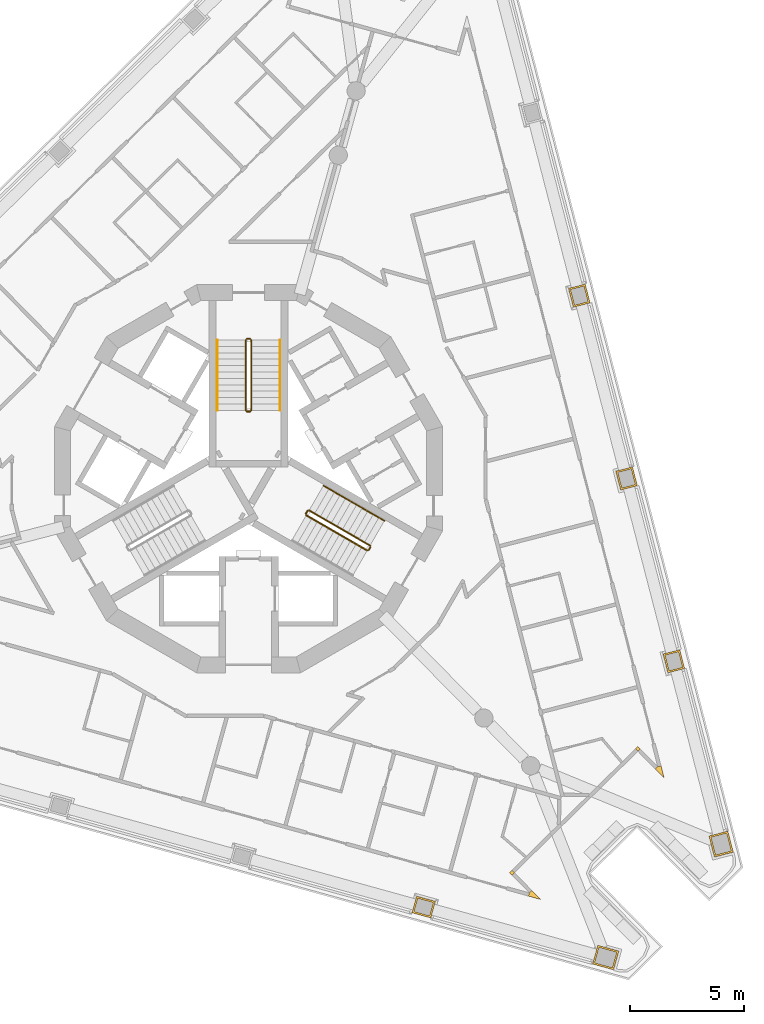
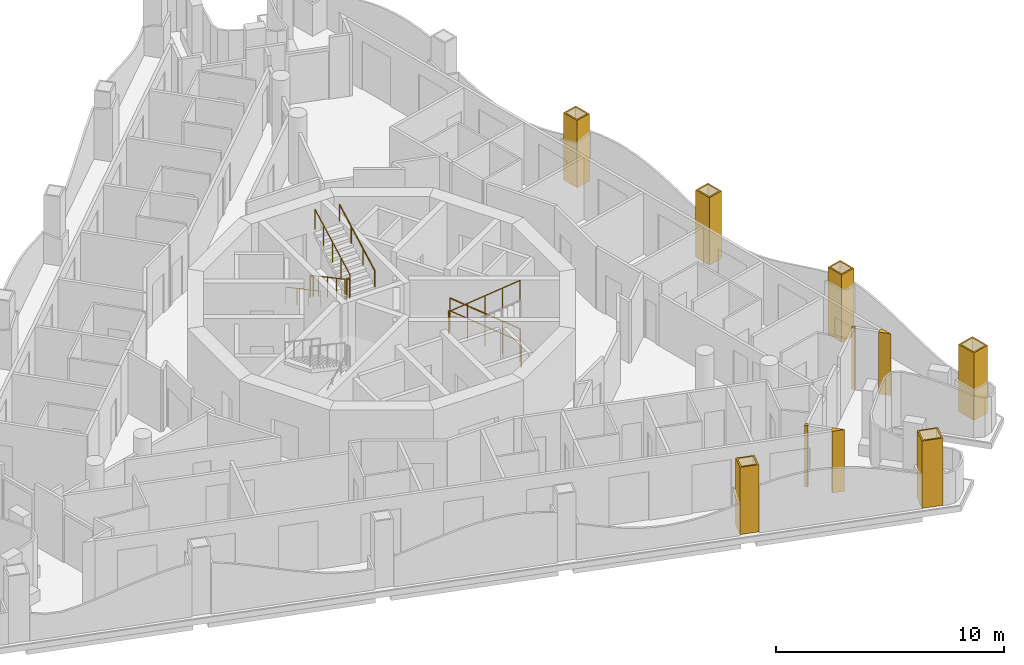
# One storey, part 12 of 14: 12 railings, 10 coverings.
"""IFC4 building model written with IfcOpenShell, lengths in metres."""

import ifcopenshell
import ifcopenshell.guid

model = None  # the IFC model being written
_history = None  # IfcOwnerHistory: only IFC2X3 demands one
_inside = {}  # id of a spatial element -> (the spatial element, [elements in it])
_under = {}  # id of a project, library or spatial element -> (it, [spatial elements below it])
_declared = {}  # id of a project -> (the project, [libraries it declares])
_typed = {}  # id of a type object -> (the type object, [elements of that type])
_made_of = {}  # id of a material, layer set ... -> (it, [elements and type objects made of it])


def new_model(schema):
    """Start an empty IFC model of exactly this schema.

    Asked for "IFC4X3", IfcOpenShell would pick the latest addendum, in which some entities
    have other attributes; the version numbers below select the first issue.
    IFC2X3 requires an IfcOwnerHistory on every rooted entity: one is made here for all.
    """
    global model, _history
    if schema == "IFC4X3":
        model = ifcopenshell.file(schema_version=(4, 3, 0, 0))
    else:
        model = ifcopenshell.file(schema=schema)
    _inside.clear()
    _under.clear()
    _declared.clear()
    _typed.clear()
    _made_of.clear()
    _history = None
    if model.schema == "IFC2X3":
        org = make("IfcOrganization", Name="unknown")
        user = make(
            "IfcPersonAndOrganization",
            ThePerson=make("IfcPerson", FamilyName="unknown"),
            TheOrganization=org,
        )
        app = make(
            "IfcApplication",
            ApplicationDeveloper=org,
            Version="unknown",
            ApplicationFullName="unknown",
            ApplicationIdentifier="unknown",
        )
        _history = make(
            "IfcOwnerHistory",
            OwningUser=user,
            OwningApplication=app,
            ChangeAction="ADDED",
            CreationDate=0,
        )
    return model


def make(cls, **values):
    """One entity of the class cls with the attributes given. An attribute that is None is left unset."""
    return model.create_entity(
        cls, **{name: value for name, value in values.items() if value is not None}
    )


def rooted(cls, **values):
    """An entity with a GlobalId (a new one), such as an element, a storey or a relation."""
    return make(cls, GlobalId=ifcopenshell.guid.new(), OwnerHistory=_history, **values)


def si_unit(unit_type, name, prefix=None):
    """IfcSIUnit, for example si_unit("LENGTHUNIT", "METRE", prefix="MILLI")."""
    return make("IfcSIUnit", UnitType=unit_type, Prefix=prefix, Name=name)


def assignment(units):
    """IfcUnitAssignment: the units of a project."""
    return None if units is None else make("IfcUnitAssignment", Units=units)


def point(xyz):
    """IfcCartesianPoint."""
    return None if xyz is None else make("IfcCartesianPoint", Coordinates=xyz)


def direction(xyz):
    """IfcDirection."""
    return None if xyz is None else make("IfcDirection", DirectionRatios=xyz)


def frame(location, z_axis=None, x_axis=None):
    """IfcAxis2Placement3D, a coordinate frame: its origin and axes. An axis left out is left unset."""
    return make(
        "IfcAxis2Placement3D",
        Location=point(location),
        Axis=direction(z_axis),
        RefDirection=direction(x_axis),
    )


def frame_2d(location, x_axis=None):
    """IfcAxis2Placement2D, a coordinate frame in the plane: its origin and x axis."""
    return make(
        "IfcAxis2Placement2D", Location=point(location), RefDirection=direction(x_axis)
    )


def origin():
    """The frame at (0, 0, 0) with its axes left unset."""
    return frame((0.0, 0.0, 0.0))


def origin_2d():
    """The frame at (0, 0) in the plane with its x axis left unset."""
    return frame_2d((0.0, 0.0))


def place(relative_to, where):
    """IfcLocalPlacement: puts the frame where relative to a parent placement (None: the world)."""
    return make(
        "IfcLocalPlacement", PlacementRelTo=relative_to, RelativePlacement=where
    )


def context(
    kind, dimensions, precision=None, world=None, true_north=None, identifier=None
):
    """IfcGeometricRepresentationContext, for example the 3D "Model" context."""
    return make(
        "IfcGeometricRepresentationContext",
        ContextIdentifier=identifier,
        ContextType=kind,
        CoordinateSpaceDimension=dimensions,
        Precision=precision,
        WorldCoordinateSystem=world,
        TrueNorth=true_north,
    )


def subcontext(parent, identifier, kind, view, scale=None):
    """IfcGeometricRepresentationSubContext, for example "Body" below "Model"."""
    return make(
        "IfcGeometricRepresentationSubContext",
        ContextIdentifier=identifier,
        ContextType=kind,
        ParentContext=parent,
        TargetScale=scale,
        TargetView=view,
    )


def project(units=None, contexts=None):
    """IfcProject with its units and contexts."""
    return rooted(
        "IfcProject",
        Name="project",
        RepresentationContexts=contexts,
        UnitsInContext=assignment(units),
    )


def spatial(cls, under=None, at=None, **own):
    """A site, building, storey or space (cls), placed at a placement, below another one or the project."""
    s = rooted(cls, ObjectPlacement=at, **own)
    if under is not None:
        _under.setdefault(under.id(), (under, []))[1].append(s)
    return s


def polyline(points):
    """IfcPolyline through the points."""
    return make("IfcPolyline", Points=[point(p) for p in points])


def profile(cls, at=None, kind="AREA", **sizes):
    """A parametric profile (cls). Its sizes go by their IFC names, for example OverallWidth=200.0."""
    return make(cls, ProfileType=kind, Position=at, **sizes)


def circle(**sizes):
    """IfcCircleProfileDef."""
    return profile("IfcCircleProfileDef", **sizes)


def outline(outer, holes=None, kind="AREA"):
    """IfcArbitraryClosedProfileDef: a profile drawn as a closed curve; with holes, ...WithVoids."""
    if holes is None:
        return make("IfcArbitraryClosedProfileDef", ProfileType=kind, OuterCurve=outer)
    return make(
        "IfcArbitraryProfileDefWithVoids",
        ProfileType=kind,
        OuterCurve=outer,
        InnerCurves=holes,
    )


def extrude(swept, where, along, depth):
    """IfcExtrudedAreaSolid: the profile swept, set in the frame where, extruded along a direction by depth."""
    return make(
        "IfcExtrudedAreaSolid",
        SweptArea=swept,
        Position=where,
        ExtrudedDirection=direction(along),
        Depth=depth,
    )


def shape(context_of_items, identifier, shape_type, items):
    """IfcShapeRepresentation: the items that make up one representation, for example the "Body"."""
    return make(
        "IfcShapeRepresentation",
        ContextOfItems=context_of_items,
        RepresentationIdentifier=identifier,
        RepresentationType=shape_type,
        Items=items,
    )


def material(Name=None, Category=None):
    """IfcMaterial."""
    return make("IfcMaterial", Name=Name, Category=Category)


def layer(
    of_material, thickness, ventilated=None, Name=None, Category=None, Priority=None
):
    """IfcMaterialLayer: one layer of a wall or slab, of a material (None: an air gap)."""
    return make(
        "IfcMaterialLayer",
        Material=of_material,
        LayerThickness=thickness,
        IsVentilated=ventilated,
        Name=Name,
        Category=Category,
        Priority=Priority,
    )


def layer_set(layers, Name=None):
    """IfcMaterialLayerSet."""
    return make("IfcMaterialLayerSet", MaterialLayers=layers, LayerSetName=Name)


def made_of(thing, what):
    """Note that an element or type object is made of a material, layer set ...; save() writes the relation."""
    if what is not None:
        _made_of.setdefault(what.id(), (what, []))[1].append(thing)
    return thing


def type_object(cls, material=None, **own):
    """A type object (cls), such as IfcWallType, which elements share."""
    return made_of(rooted(cls, **own), material)


def element(
    cls,
    number,
    at=None,
    inside=None,
    cuts=None,
    type_object=None,
    material=None,
    context=None,
    identifier="Body",
    shape_type=None,
    held_by="IfcProductDefinitionShape",
    body=None,
    shapes=None,
    **own,
):
    """One element of the class cls, such as IfcWall. Its Tag is "e" and its number.

    at: its placement. inside: the storey or other place that contains it. cuts: it is an
    opening in that element (IfcRelVoidsElement). A single representation is given by context,
    identifier, shape_type and body (its items); several are given by shapes. held_by: the class
    of the entity that holds the representations. save() writes the other relations.
    """
    e = rooted(cls, Tag="e%d" % number, ObjectPlacement=at, **own)
    if body is not None:
        shapes = [shape(context, identifier, shape_type, body)]
    if shapes is not None:
        e.Representation = make(held_by, Representations=shapes)
    if inside is not None:
        _inside.setdefault(inside.id(), (inside, []))[1].append(e)
    if cuts is not None:
        rooted(
            "IfcRelVoidsElement", RelatingBuildingElement=cuts, RelatedOpeningElement=e
        )
    if type_object is not None:
        _typed.setdefault(type_object.id(), (type_object, []))[1].append(e)
    return made_of(e, material)


def aggregate(whole, parts):
    """IfcRelAggregates: a whole, such as a stair, and the parts it consists of."""
    return rooted("IfcRelAggregates", RelatingObject=whole, RelatedObjects=parts)


def save(model, path):
    """Write the relations noted so far, then the file.

    IfcRelAggregates (storeys below a building ...), IfcRelContainedInSpatialStructure (elements
    in a storey), IfcRelDefinesByType, IfcRelAssociatesMaterial and IfcRelDeclares: one each for
    every whole, place, type object, material and project.
    """
    for whole, parts in _under.values():
        aggregate(whole, parts)
    for where, things in _inside.values():
        rooted(
            "IfcRelContainedInSpatialStructure",
            RelatedElements=things,
            RelatingStructure=where,
        )
    for kind, things in _typed.values():
        rooted("IfcRelDefinesByType", RelatedObjects=things, RelatingType=kind)
    for what, things in _made_of.values():
        rooted("IfcRelAssociatesMaterial", RelatedObjects=things, RelatingMaterial=what)
    for by, libraries in _declared.values():
        rooted("IfcRelDeclares", RelatingContext=by, RelatedDefinitions=libraries)
    model.write(path)


model = new_model("IFC4")

# Units and contexts
model_context = context("Model", 3, precision=1e-05, world=origin(), true_north=direction((0.0, 1.0)))
body_context = subcontext(model_context, "Body", "Model", "MODEL_VIEW")
ifc_project = project(units=[si_unit("LENGTHUNIT", "METRE"), si_unit("AREAUNIT", "SQUARE_METRE"), si_unit("VOLUMEUNIT", "CUBIC_METRE"), si_unit("PLANEANGLEUNIT", "RADIAN"), si_unit("MASSUNIT", "GRAM", prefix="KILO")], contexts=[model_context])

# Site, building, storey
site_placement = place(None, origin())
site = spatial("IfcSite", under=ifc_project, at=site_placement, CompositionType="ELEMENT")
building_placement = place(site_placement, origin())
building = spatial("IfcBuilding", under=site, at=building_placement, Name="Trine Commons Tower", CompositionType="ELEMENT")
storey_placement = place(building_placement, frame((0.0, 0.0, 242.10009765625)))
storey = spatial("IfcBuildingStorey", under=building, at=storey_placement, Name="L63", CompositionType="ELEMENT", Elevation=242.10009765625)

# Coverings
ifc_material_1 = material(Name="Aluminium-framed insulated wall panel", Category="aluminium")
ifc_layer_1 = layer(ifc_material_1, 0.14990234375)
ifc_layer_set_1 = layer_set([ifc_layer_1], Name="Aluminium-framed insulated wall panel")
covering_type_1 = type_object("IfcCoveringType", Name="Glazing corner post, aluminium", PredefinedType="CLADDING", material=ifc_layer_set_1)
covering_1_placement = place(storey_placement, origin())
element("IfcCovering", 1, at=covering_1_placement, inside=storey, type_object=covering_type_1, Name="Glazing corner post 7-06", PredefinedType="CLADDING", context=body_context, shape_type="SweptSolid", body=[
    extrude(outline(polyline([(97.80859375, 49.78515625), (98.200927734375, 49.3857421875), (98.060791015625, 49.927734375), (97.91552734375, 49.890380859375), (97.91552734375, 49.890380859375), (97.80859375, 49.78515625)])), origin(), (0.0, 0.0, 1.0), 3.2998046875),
])
covering_2_placement = place(storey_placement, origin())
element("IfcCovering", 2, at=covering_2_placement, inside=storey, type_object=covering_type_1, Name="Glazing corner post 7-07", PredefinedType="CLADDING", context=body_context, shape_type="SweptSolid", body=[
    extrude(outline(polyline([(96.9423828125, 50.66650390625), (97.047607421875, 50.5595703125), (97.154541015625, 50.66455078125), (97.04931640625, 50.771484375), (96.9423828125, 50.66650390625)])), origin(), (0.0, 0.0, 1.0), 3.2998046875),
])
covering_3_placement = place(storey_placement, origin())
element("IfcCovering", 3, at=covering_3_placement, inside=storey, type_object=covering_type_1, Name="Glazing corner post 7-08", PredefinedType="CLADDING", context=body_context, shape_type="SweptSolid", body=[
    extrude(outline(polyline([(91.5341796875, 45.1416015625), (91.64111328125, 45.24658203125), (91.535888671875, 45.353515625), (91.428955078125, 45.24853515625), (91.5341796875, 45.1416015625)])), origin(), (0.0, 0.0, 1.0), 3.2998046875),
])
covering_4_placement = place(storey_placement, origin())
element("IfcCovering", 4, at=covering_4_placement, inside=storey, type_object=covering_type_1, Name="Glazing corner post 7-09", PredefinedType="CLADDING", context=body_context, shape_type="SweptSolid", body=[
    extrude(outline(polyline([(92.255126953125, 44.222412109375), (92.79443359375, 44.072998046875), (92.402099609375, 44.47216796875), (92.295166015625, 44.3671875), (92.255126953125, 44.222412109375)])), origin(), (0.0, 0.0, 1.0), 3.2998046875),
])
ifc_material_2 = material(Name="Limestone, honed", Category="masonry")
ifc_layer_2 = layer(ifc_material_2, 0.074951171875)
ifc_layer_set_2 = layer_set([ifc_layer_2], Name="Limestone, honed")
covering_type_2 = type_object("IfcCoveringType", Name="Limestone column cladding 75", PredefinedType="CLADDING", material=ifc_layer_set_2)
covering_5_placement = place(storey_placement, origin())
element("IfcCovering", 5, at=covering_5_placement, inside=storey, type_object=covering_type_2, Name="Limestone pier cladding 7-01", PredefinedType="CLADDING", context=body_context, shape_type="SweptSolid", body=[
    extrude(outline(polyline([(95.292724609375, 42.0673828125), (95.0654296875, 41.248291015625), (95.98095703125, 40.994384765625), (96.2080078125, 41.8134765625), (95.292724609375, 42.0673828125)]), holes=[polyline([(95.344970703125, 41.97509765625), (95.15771484375, 41.300537109375), (95.9287109375, 41.086669921875), (96.11572265625, 41.76123046875), (95.344970703125, 41.97509765625)])]), origin(), (0.0, 0.0, 1.0), 3.599853515625),
])
covering_6_placement = place(storey_placement, origin())
element("IfcCovering", 6, at=covering_6_placement, inside=storey, type_object=covering_type_2, Name="Limestone pier cladding 7-02", PredefinedType="CLADDING", context=body_context, shape_type="SweptSolid", body=[
    extrude(outline(polyline([(87.359619140625, 44.215576171875), (87.158935546875, 43.492919921875), (87.97802734375, 43.265869140625), (88.1787109375, 43.988525390625), (87.359619140625, 44.215576171875)]), holes=[polyline([(87.41162109375, 44.123291015625), (87.25146484375, 43.545166015625), (87.92578125, 43.358154296875), (88.086181640625, 43.936279296875), (87.41162109375, 44.123291015625)])]), origin(), (0.0, 0.0, 1.0), 3.599853515625),
])
covering_7_placement = place(storey_placement, origin())
element("IfcCovering", 7, at=covering_7_placement, inside=storey, type_object=covering_type_2, Name="Limestone pier cladding 7-15", PredefinedType="CLADDING", context=body_context, shape_type="SweptSolid", body=[
    extrude(outline(polyline([(94.738525390625, 71.02099609375), (94.012451171875, 70.833251953125), (94.225341796875, 70.01025390625), (94.951416015625, 70.197998046875), (94.738525390625, 71.02099609375)]), holes=[polyline([(94.684814453125, 70.9296875), (94.10400390625, 70.779296875), (94.279296875, 70.101806640625), (94.860107421875, 70.251953125), (94.684814453125, 70.9296875)])]), origin(), (0.0, 0.0, 1.0), 3.599853515625),
])
covering_8_placement = place(storey_placement, origin())
element("IfcCovering", 8, at=covering_8_placement, inside=storey, type_object=covering_type_2, Name="Limestone pier cladding 7-16", PredefinedType="CLADDING", context=body_context, shape_type="SweptSolid", body=[
    extrude(outline(polyline([(96.808837890625, 63.015625), (96.082763671875, 62.827880859375), (96.295654296875, 62.0048828125), (97.021728515625, 62.192626953125), (96.808837890625, 63.015625)]), holes=[polyline([(96.755126953125, 62.92431640625), (96.17431640625, 62.77392578125), (96.349609375, 62.09619140625), (96.930419921875, 62.24658203125), (96.755126953125, 62.92431640625)])]), origin(), (0.0, 0.0, 1.0), 3.599853515625),
])
covering_9_placement = place(storey_placement, origin())
element("IfcCovering", 9, at=covering_9_placement, inside=storey, type_object=covering_type_2, Name="Limestone pier cladding 7-17", PredefinedType="CLADDING", context=body_context, shape_type="SweptSolid", body=[
    extrude(outline(polyline([(98.87939453125, 55.010498046875), (98.1533203125, 54.822509765625), (98.3662109375, 53.99951171875), (99.09228515625, 54.1875), (98.87939453125, 55.010498046875)]), holes=[polyline([(98.825439453125, 54.9189453125), (98.24462890625, 54.768798828125), (98.419921875, 54.091064453125), (99.000732421875, 54.2412109375), (98.825439453125, 54.9189453125)])]), origin(), (0.0, 0.0, 1.0), 3.599853515625),
])
covering_10_placement = place(storey_placement, origin())
element("IfcCovering", 10, at=covering_10_placement, inside=storey, type_object=covering_type_2, Name="Limestone pier cladding 7-18", PredefinedType="CLADDING", context=body_context, shape_type="SweptSolid", body=[
    extrude(outline(polyline([(100.985595703125, 47.06591796875), (100.16259765625, 46.853271484375), (100.400390625, 45.933349609375), (101.223388671875, 46.146240234375), (100.985595703125, 47.06591796875)]), holes=[polyline([(100.931640625, 46.974609375), (100.25390625, 46.79931640625), (100.454345703125, 46.02490234375), (101.132080078125, 46.2001953125), (100.931640625, 46.974609375)])]), origin(), (0.0, 0.0, 1.0), 3.599853515625),
])

# Railings
ifc_material_3 = material(Name="Stainless steel balustrade", Category="steel")
railing_type_1 = type_object("IfcRailingType", Name="Stair guard, steel balustrade 1100", PredefinedType="GUARDRAIL", material=ifc_material_3)
railing_1_placement = place(storey_placement, frame((79.875, 68.570556640625, 0.14990234375)))
element("IfcRailing", 11, at=railing_1_placement, inside=storey, type_object=railing_type_1, Name="L63 ST1C stair guard 1", PredefinedType="GUARDRAIL", context=body_context, shape_type="SweptSolid", body=[
    extrude(circle(Radius=0.02392578125, at=origin_2d()), frame((0.0, 0.0, 1.076171875), z_axis=(0.0, -0.881496589024, 0.472190389079), x_axis=(1.0, 0.0, 0.0)), (0.0, 0.0, 1.0), 3.494140625),
    extrude(circle(Radius=0.02099609375, at=origin_2d()), origin(), (0.0, 0.0, 1.0), 1.052001953125),
    extrude(circle(Radius=0.02099609375, at=origin_2d()), frame((0.0, -0.77001953125, 0.41259765625)), (0.0, 0.0, 1.0), 1.052001953125),
    extrude(circle(Radius=0.02099609375, at=origin_2d()), frame((0.0, -1.5400390625, 0.824951171875)), (0.0, 0.0, 1.0), 1.052001953125),
    extrude(circle(Radius=0.02099609375, at=origin_2d()), frame((0.0, -2.31005859375, 1.2373046875)), (0.0, 0.0, 1.0), 1.052001953125),
    extrude(circle(Radius=0.02099609375, at=origin_2d()), frame((0.0, -3.080078125, 1.64990234375)), (0.0, 0.0, 1.0), 1.052001953125),
])
railing_2_placement = place(storey_placement, frame((79.925048828125, 65.440673828125, 1.7998046875)))
element("IfcRailing", 12, at=railing_2_placement, inside=storey, type_object=railing_type_1, Name="L63 ST1C stair guard 2", PredefinedType="GUARDRAIL", context=body_context, shape_type="SweptSolid", body=[
    extrude(circle(Radius=0.02392578125, at=origin_2d()), frame((0.0, 0.0, 1.076171875), z_axis=(1.0, 0.0, 0.0), x_axis=(0.0, 1.0, 0.0)), (0.0, 0.0, 1.0), 0.14990234375),
    extrude(circle(Radius=0.02099609375, at=origin_2d()), origin(), (0.0, 0.0, 1.0), 1.052001953125),
    extrude(circle(Radius=0.02099609375, at=origin_2d()), frame((0.14990234375, 0.0, 0.0)), (0.0, 0.0, 1.0), 1.052001953125),
])
railing_3_placement = place(storey_placement, frame((80.125, 65.490478515625, 1.949951171875)))
element("IfcRailing", 13, at=railing_3_placement, inside=storey, type_object=railing_type_1, Name="L63 ST1C stair guard 3", PredefinedType="GUARDRAIL", context=body_context, shape_type="SweptSolid", body=[
    extrude(circle(Radius=0.02392578125, at=origin_2d()), frame((0.0, 0.0, 1.076171875), z_axis=(0.0, 0.881496589024, 0.472190389079), x_axis=(-1.0, 0.0, 0.0)), (0.0, 0.0, 1.0), 3.494140625),
    extrude(circle(Radius=0.02099609375, at=origin_2d()), origin(), (0.0, 0.0, 1.0), 1.052001953125),
    extrude(circle(Radius=0.02099609375, at=origin_2d()), frame((0.0, 0.77001953125, 0.41259765625)), (0.0, 0.0, 1.0), 1.052001953125),
    extrude(circle(Radius=0.02099609375, at=origin_2d()), frame((0.0, 1.5400390625, 0.824951171875)), (0.0, 0.0, 1.0), 1.052001953125),
    extrude(circle(Radius=0.02099609375, at=origin_2d()), frame((0.0, 2.31005859375, 1.2373046875)), (0.0, 0.0, 1.0), 1.052001953125),
    extrude(circle(Radius=0.02099609375, at=origin_2d()), frame((0.0, 3.080078125, 1.64990234375)), (0.0, 0.0, 1.0), 1.052001953125),
])
railing_4_placement = place(storey_placement, frame((79.925048828125, 68.62060546875, 0.0)))
element("IfcRailing", 14, at=railing_4_placement, inside=storey, type_object=railing_type_1, Name="L63 ST1C stair guard 4", PredefinedType="GUARDRAIL", context=body_context, shape_type="SweptSolid", body=[
    extrude(circle(Radius=0.02392578125, at=origin_2d()), frame((0.0, 0.0, 1.076171875), z_axis=(1.0, 0.0, 0.0), x_axis=(0.0, 1.0, 0.0)), (0.0, 0.0, 1.0), 0.14990234375),
    extrude(circle(Radius=0.02099609375, at=origin_2d()), origin(), (0.0, 0.0, 1.0), 1.052001953125),
    extrude(circle(Radius=0.02099609375, at=origin_2d()), frame((0.14990234375, 0.0, 0.0)), (0.0, 0.0, 1.0), 1.052001953125),
])
railing_5_placement = place(storey_placement, frame((85.31982421875, 59.572998046875, 0.14990234375)))
element("IfcRailing", 15, at=railing_5_placement, inside=storey, type_object=railing_type_1, Name="L63 ST3C stair guard 1", PredefinedType="GUARDRAIL", context=body_context, shape_type="SweptSolid", body=[
    extrude(circle(Radius=0.02392578125, at=origin_2d()), frame((0.0, 0.0, 1.076171875), z_axis=(-0.76340495495, 0.440743040072, 0.472184759798), x_axis=(-0.499992328818, -0.866029832698, 0.0)), (0.0, 0.0, 1.0), 3.494140625),
    extrude(circle(Radius=0.02099609375, at=origin_2d()), origin(), (0.0, 0.0, 1.0), 1.052001953125),
    extrude(circle(Radius=0.02099609375, at=origin_2d()), frame((-0.6669921875, 0.385009765625, 0.41259765625)), (0.0, 0.0, 1.0), 1.052001953125),
    extrude(circle(Radius=0.02099609375, at=origin_2d()), frame((-1.333740234375, 0.77001953125, 0.824951171875)), (0.0, 0.0, 1.0), 1.052001953125),
    extrude(circle(Radius=0.02099609375, at=origin_2d()), frame((-2.00048828125, 1.155029296875, 1.2373046875)), (0.0, 0.0, 1.0), 1.052001953125),
    extrude(circle(Radius=0.02099609375, at=origin_2d()), frame((-2.66748046875, 1.5400390625, 1.64990234375)), (0.0, 0.0, 1.0), 1.052001953125),
])
railing_6_placement = place(storey_placement, frame((82.584228515625, 61.0947265625, 1.7998046875)))
element("IfcRailing", 16, at=railing_6_placement, inside=storey, type_object=railing_type_1, Name="L63 ST3C stair guard 2", PredefinedType="GUARDRAIL", context=body_context, shape_type="SweptSolid", body=[
    extrude(circle(Radius=0.02392578125, at=origin_2d()), frame((0.0, 0.0, 1.076171875), z_axis=(-0.501036270542, -0.865426285481, 0.0), x_axis=(0.865426285481, -0.501036270542, 0.0)), (0.0, 0.0, 1.0), 0.150146484375),
    extrude(circle(Radius=0.02099609375, at=origin_2d()), origin(), (0.0, 0.0, 1.0), 1.052001953125),
    extrude(circle(Radius=0.02099609375, at=origin_2d()), frame((-0.0751953125, -0.1298828125, 0.0)), (0.0, 0.0, 1.0), 1.052001953125),
])
railing_7_placement = place(storey_placement, frame((82.52734375, 60.896484375, 1.949951171875)))
element("IfcRailing", 17, at=railing_7_placement, inside=storey, type_object=railing_type_1, Name="L63 ST3C stair guard 3", PredefinedType="GUARDRAIL", context=body_context, shape_type="SweptSolid", body=[
    extrude(circle(Radius=0.02392578125, at=origin_2d()), frame((0.0, 0.0, 1.076171875), z_axis=(0.76340495495, -0.440743040072, 0.472184759798), x_axis=(0.499992328818, 0.866029832698, 0.0)), (0.0, 0.0, 1.0), 3.494140625),
    extrude(circle(Radius=0.02099609375, at=origin_2d()), origin(), (0.0, 0.0, 1.0), 1.052001953125),
    extrude(circle(Radius=0.02099609375, at=origin_2d()), frame((0.6669921875, -0.385009765625, 0.41259765625)), (0.0, 0.0, 1.0), 1.052001953125),
    extrude(circle(Radius=0.02099609375, at=origin_2d()), frame((1.333740234375, -0.77001953125, 0.824951171875)), (0.0, 0.0, 1.0), 1.052001953125),
    extrude(circle(Radius=0.02099609375, at=origin_2d()), frame((2.00048828125, -1.155029296875, 1.2373046875)), (0.0, 0.0, 1.0), 1.052001953125),
    extrude(circle(Radius=0.02099609375, at=origin_2d()), frame((2.66748046875, -1.5400390625, 1.64990234375)), (0.0, 0.0, 1.0), 1.052001953125),
])
railing_8_placement = place(storey_placement, frame((85.338134765625, 59.504638671875, 0.0)))
element("IfcRailing", 18, at=railing_8_placement, inside=storey, type_object=railing_type_1, Name="L63 ST3C stair guard 4", PredefinedType="GUARDRAIL", context=body_context, shape_type="SweptSolid", body=[
    extrude(circle(Radius=0.02392578125, at=origin_2d()), frame((0.0, 0.0, 1.076171875), z_axis=(-0.499816412211, -0.866131372301, 0.0), x_axis=(0.866131372301, -0.499816412211, 0.0)), (0.0, 0.0, 1.0), 0.14990234375),
    extrude(circle(Radius=0.02099609375, at=origin_2d()), origin(), (0.0, 0.0, 1.0), 1.052001953125),
    extrude(circle(Radius=0.02099609375, at=origin_2d()), frame((-0.074951171875, -0.1298828125, 0.0)), (0.0, 0.0, 1.0), 1.052001953125),
])
ifc_material_4 = material(Name="Stainless steel handrail", Category="steel")
railing_type_2 = type_object("IfcRailingType", Name="Stair handrail, steel 900", PredefinedType="HANDRAIL", material=ifc_material_4)
railing_9_placement = place(storey_placement, frame((78.625, 68.570556640625, 0.14990234375)))
element("IfcRailing", 19, at=railing_9_placement, inside=storey, type_object=railing_type_2, Name="L63 ST1C stair handrail 1", PredefinedType="HANDRAIL", context=body_context, shape_type="SweptSolid", body=[
    extrude(circle(Radius=0.02099609375, at=origin_2d()), frame((0.0, 0.0, 0.87890625), z_axis=(0.0, -0.881496589024, 0.472190389079), x_axis=(1.0, 0.0, 0.0)), (0.0, 0.0, 1.0), 3.494140625),
    extrude(circle(Radius=0.01513671875, at=origin_2d()), origin(), (0.0, 0.0, 1.0), 0.85791015625),
    extrude(circle(Radius=0.01513671875, at=origin_2d()), frame((0.0, -1.026611328125, 0.550048828125)), (0.0, 0.0, 1.0), 0.85791015625),
    extrude(circle(Radius=0.01513671875, at=origin_2d()), frame((0.0, -2.053466796875, 1.099853515625)), (0.0, 0.0, 1.0), 0.85791015625),
    extrude(circle(Radius=0.01513671875, at=origin_2d()), frame((0.0, -3.080078125, 1.64990234375)), (0.0, 0.0, 1.0), 0.85791015625),
])
railing_10_placement = place(storey_placement, frame((81.375, 65.490478515625, 1.949951171875)))
element("IfcRailing", 20, at=railing_10_placement, inside=storey, type_object=railing_type_2, Name="L63 ST1C stair handrail 2", PredefinedType="HANDRAIL", context=body_context, shape_type="SweptSolid", body=[
    extrude(circle(Radius=0.02099609375, at=origin_2d()), frame((0.0, 0.0, 0.87890625), z_axis=(0.0, 0.881496589024, 0.472190389079), x_axis=(-1.0, 0.0, 0.0)), (0.0, 0.0, 1.0), 3.494140625),
    extrude(circle(Radius=0.01513671875, at=origin_2d()), origin(), (0.0, 0.0, 1.0), 0.85791015625),
    extrude(circle(Radius=0.01513671875, at=origin_2d()), frame((0.0, 1.026611328125, 0.550048828125)), (0.0, 0.0, 1.0), 0.85791015625),
    extrude(circle(Radius=0.01513671875, at=origin_2d()), frame((0.0, 2.053466796875, 1.099853515625)), (0.0, 0.0, 1.0), 0.85791015625),
    extrude(circle(Radius=0.01513671875, at=origin_2d()), frame((0.0, 3.080078125, 1.64990234375)), (0.0, 0.0, 1.0), 0.85791015625),
])
for number, where, name in (
    (21, (85.94482421875, 60.655517578125, 0.14990234375), "L63 ST3C stair handrail 1"),
    (22, (84.611083984375, 61.425537109375, 0.974853515625), "L63 ST3C stair handrail 2"),
):
    element("IfcRailing", number, at=place(storey_placement, frame(where)), inside=storey, type_object=railing_type_2, Name=name, PredefinedType="HANDRAIL", context=body_context, shape_type="SweptSolid", body=[
        extrude(circle(Radius=0.02099609375, at=origin_2d()), frame((0.0, 0.0, 0.87890625), z_axis=(-0.76340495495, 0.440743040072, 0.472184759798), x_axis=(-0.499992328818, -0.866029832698, 0.0)), (0.0, 0.0, 1.0), 1.7470703125),
        extrude(circle(Radius=0.01513671875, at=origin_2d()), origin(), (0.0, 0.0, 1.0), 0.85791015625),
        extrude(circle(Radius=0.01513671875, at=origin_2d()), frame((-0.6669921875, 0.385009765625, 0.41259765625)), (0.0, 0.0, 1.0), 0.85791015625),
        extrude(circle(Radius=0.01513671875, at=origin_2d()), frame((-1.333740234375, 0.77001953125, 0.824951171875)), (0.0, 0.0, 1.0), 0.85791015625),
    ])

save(model, "model.ifc")
